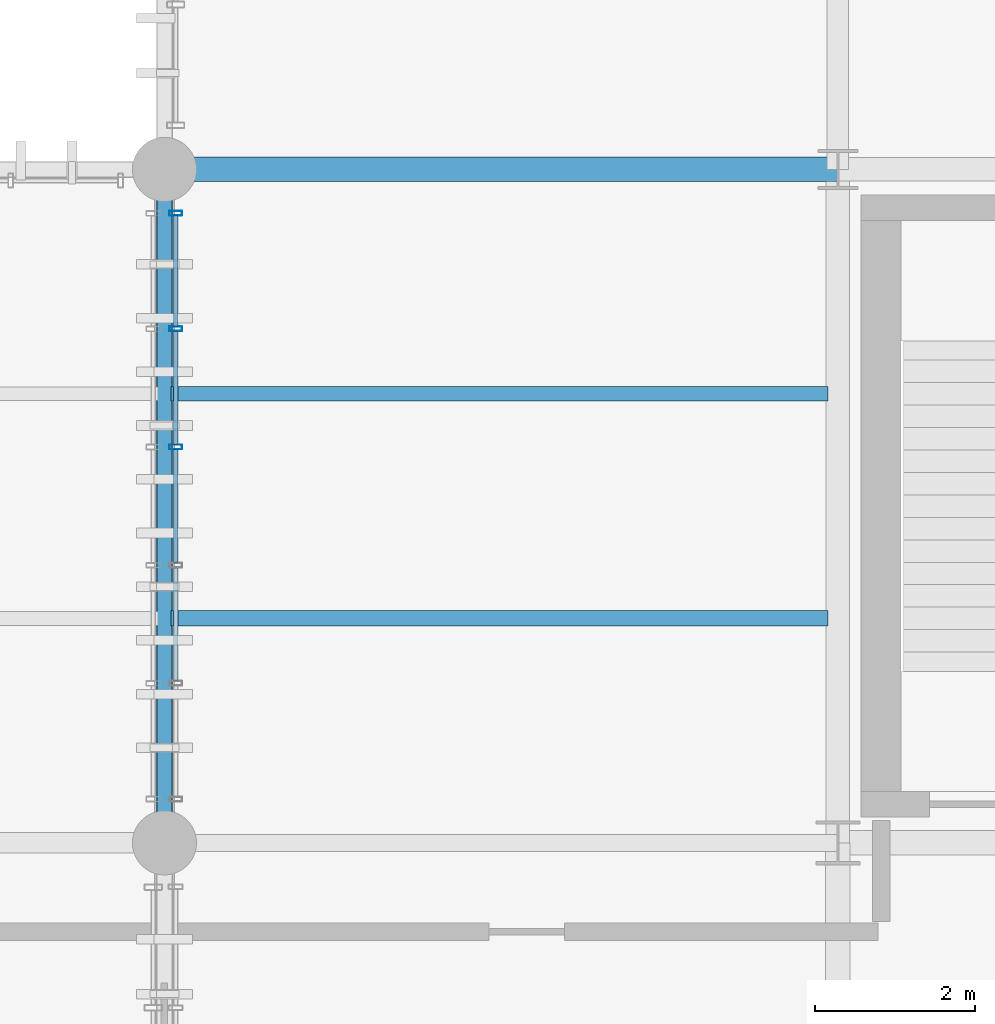
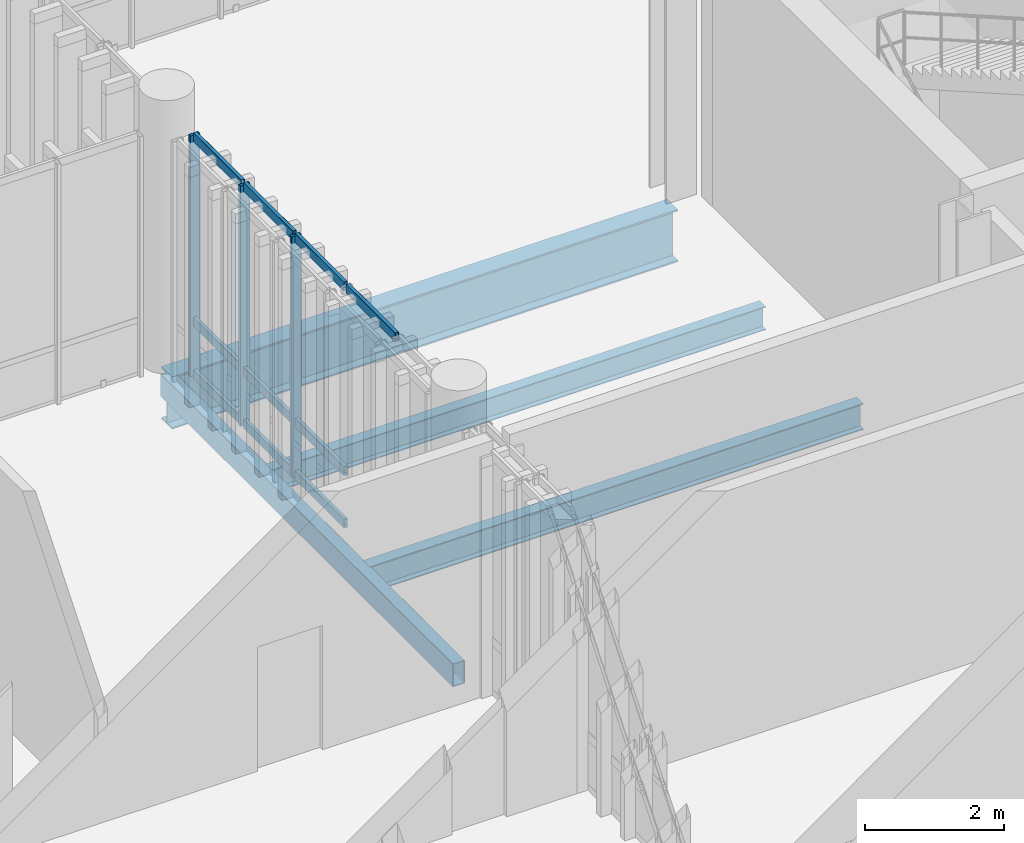
# One storey, part 37 of 109: 13 members, 4 beams, 1 element without a shape of its own.
"""IFC4 building model written with IfcOpenShell, lengths in metres."""

from ifc_helpers import new_model, si_unit, direction, frame, origin_with_axes, origin_2d_with_axis, place, context, subcontext, project, spatial, hollow_rectangle, i_section, extrude, material, material_profile, profile_set, type_object, element, aggregate, save


model = new_model("IFC4")

# Units and contexts
model_context = context("Model", 3, precision=1e-05, world=origin_with_axes(), true_north=direction((0.0, 1.0)))
body_context = subcontext(model_context, "Body", "Model", "MODEL_VIEW")
ifc_project = project(units=[si_unit("LENGTHUNIT", "METRE"), si_unit("AREAUNIT", "SQUARE_METRE"), si_unit("VOLUMEUNIT", "CUBIC_METRE"), si_unit("PLANEANGLEUNIT", "RADIAN"), si_unit("MASSUNIT", "GRAM", prefix="KILO"), si_unit("THERMODYNAMICTEMPERATUREUNIT", "KELVIN")], contexts=[model_context])

# Site, building, storey
site_placement = place(None, origin_with_axes())
site = spatial("IfcSite", under=ifc_project, at=site_placement, CompositionType="ELEMENT")
building_placement = place(site_placement, origin_with_axes())
building = spatial("IfcBuilding", under=site, at=building_placement, Name="Montbau Bow Law Courts", CompositionType="ELEMENT")
storey_placement = place(building_placement, frame((0.0, 0.0, 10.8), z_axis=(0.0, 0.0, 1.0), x_axis=(1.0, 0.0, 0.0)))
storey = spatial("IfcBuildingStorey", under=building, at=storey_placement, Name="L02", CompositionType="ELEMENT", Elevation=10.8)

# Beams
ifc_material_1 = material(Name="Steel CSA G40.21 Grade 350W (350 MPa)", Category="steel")
ifc_material_profile_1 = material_profile(ifc_material_1, i_section(OverallWidth=0.306, OverallDepth=0.919, WebThickness=0.0173, FlangeThickness=0.0279, at=origin_2d_with_axis()), Name="W920X253", Category="Main", Priority=0)
ifc_profile_set_1 = profile_set([ifc_material_profile_1], Name="Steel CSA G40.21 Grade 350W (350 MPa)")
beam_type_1 = type_object("IfcBeamType", Name="B-FLR-01", PredefinedType="BEAM", material=ifc_profile_set_1)
beam_1_placement = place(None, frame((46.8, 54.6, 10.101), z_axis=(1.0, 0.0, 0.0), x_axis=(0.0, 1.0, 0.0)))
element("IfcBeam", 1, at=beam_1_placement, inside=storey, type_object=beam_type_1, Name="BM-L02-S0845:bm2_0848", PredefinedType="BEAM", context=body_context, shape_type="SweptSolid", body=[
    extrude(i_section(OverallWidth=0.306, OverallDepth=0.919, WebThickness=0.0173, FlangeThickness=0.0279, at=origin_2d_with_axis()), origin_with_axes(), (0.0, 0.0, 1.0), 8.4),
])
ifc_material_profile_2 = material_profile(ifc_material_1, i_section(OverallWidth=0.191, OverallDepth=0.46, WebThickness=0.0099, FlangeThickness=0.016, at=origin_2d_with_axis()), Name="W460X82", Category="Main", Priority=0)
ifc_profile_set_2 = profile_set([ifc_material_profile_2], Name="Steel CSA G40.21 Grade 350W (350 MPa)")
beam_type_2 = type_object("IfcBeamType", Name="B-JST-01", PredefinedType="JOIST", material=ifc_profile_set_2)
beam_2_placement = place(None, frame((46.88, 49.0, 10.33), z_axis=(1.0, 0.0, 0.0), x_axis=(0.0, 1.0, 0.0)))
element("IfcBeam", 2, at=beam_2_placement, inside=storey, type_object=beam_type_2, Name="JST-L02-S0436:jst2_0436", PredefinedType="JOIST", context=body_context, shape_type="SweptSolid", body=[
    extrude(i_section(OverallWidth=0.191, OverallDepth=0.46, WebThickness=0.0099, FlangeThickness=0.016, at=origin_2d_with_axis()), origin_with_axes(), (0.0, 0.0, 1.0), 8.198),
])
ifc_material_profile_3 = material_profile(ifc_material_1, i_section(OverallWidth=0.179, OverallDepth=0.41, WebThickness=0.0088, FlangeThickness=0.0144, at=origin_2d_with_axis()), Name="W410X67", Category="Main", Priority=0)
ifc_profile_set_3 = profile_set([ifc_material_profile_3], Name="Steel CSA G40.21 Grade 350W (350 MPa)")
beam_type_3 = type_object("IfcBeamType", Name="B-JST-02", PredefinedType="JOIST", material=ifc_profile_set_3)
beam_3_placement = place(None, frame((46.88, 51.8, 10.355), z_axis=(1.0, 0.0, 0.0), x_axis=(0.0, 1.0, 0.0)))
element("IfcBeam", 3, at=beam_3_placement, inside=storey, type_object=beam_type_3, Name="JST-L02-S0437:jst2_0437", PredefinedType="JOIST", context=body_context, shape_type="SweptSolid", body=[
    extrude(i_section(OverallWidth=0.179, OverallDepth=0.41, WebThickness=0.0088, FlangeThickness=0.0144, at=origin_2d_with_axis()), origin_with_axes(), (0.0, 0.0, 1.0), 8.198),
])
ifc_material_2 = material(Name="Steel CSA G40.21 Grade 350WT (350 MPa)", Category="steel")
ifc_material_profile_4 = material_profile(ifc_material_2, hollow_rectangle(XDim=0.203, YDim=0.406, WallThickness=0.0127, InnerFilletRadius=0.0254, OuterFilletRadius=0.0127, at=origin_2d_with_axis()), Name="HSS406X203X13", Category="Main", Priority=0)
ifc_profile_set_4 = profile_set([ifc_material_profile_4], Name="Steel CSA G40.21 Grade 350WT (350 MPa)")
beam_type_4 = type_object("IfcBeamType", Name="B-SPN-01", PredefinedType="SPANDREL", material=ifc_profile_set_4)
beam_4_placement = place(None, frame((46.8, 46.2, 10.357), z_axis=(0.0, 1.0, 0.0), x_axis=(-1.0, 0.0, 0.0)))
element("IfcBeam", 4, at=beam_4_placement, inside=storey, type_object=beam_type_4, Name="SPN-L02-S0580:bm2_0583", PredefinedType="SPANDREL", context=body_context, shape_type="SweptSolid", body=[
    extrude(hollow_rectangle(XDim=0.203, YDim=0.406, WallThickness=0.0127, InnerFilletRadius=0.0254, OuterFilletRadius=0.0127, at=origin_2d_with_axis()), origin_with_axes(), (0.0, 0.0, 1.0), 8.4),
])

# Curtain wall, members
ifc_material_3 = material(Name="Thermally Broken Extruded Aluminium AA 6063-T6", Category="aluminium")
curtain_wall_type = type_object("IfcCurtainWallType", Name="CW-CRM-01", PredefinedType="NOTDEFINED", material=ifc_material_3)
curtain_wall_placement = place(None, frame((46.94, 46.715, 10.8), z_axis=(0.0, 0.0, 1.0), x_axis=(1.0, 0.0, 0.0)))
curtain_wall = element("IfcCurtainWall", 5, at=curtain_wall_placement, inside=storey, type_object=curtain_wall_type, Name="CW-L02-170:cw_0170", PredefinedType="NOTDEFINED")
ifc_material_profile_5 = material_profile(ifc_material_3, hollow_rectangle(XDim=0.06, YDim=0.16, WallThickness=0.004, InnerFilletRadius=0.008, OuterFilletRadius=0.004, at=origin_2d_with_axis()), Name="CWM-160X60", Category="Main", Priority=0)
ifc_profile_set_5 = profile_set([ifc_material_profile_5], Name="Thermally Broken Extruded Aluminium AA 6063-T6")
member_type_1 = type_object("IfcMemberType", Name="M-MUL-03", PredefinedType="MULLION", material=ifc_profile_set_5)
member_1_placement = place(None, frame((46.94, 51.137, 10.8), z_axis=(0.0, 0.0, 1.0), x_axis=(0.0, 1.0, 0.0)))
member_1 = element("IfcMember", 6, at=member_1_placement, type_object=member_type_1, Name="CW-L02-170-M04:cw_0170_M04", PredefinedType="MULLION", context=body_context, shape_type="SweptSolid", body=[
    extrude(hollow_rectangle(XDim=0.06, YDim=0.16, WallThickness=0.004, InnerFilletRadius=0.008, OuterFilletRadius=0.004, at=origin_2d_with_axis()), origin_with_axes(), (0.0, 0.0, 1.0), 4.22),
])
member_2_placement = place(None, frame((46.94, 52.611, 10.8), z_axis=(0.0, 0.0, 1.0), x_axis=(0.0, 1.0, 0.0)))
member_2 = element("IfcMember", 7, at=member_2_placement, type_object=member_type_1, Name="CW-L02-170-M05:cw_0170_M05", PredefinedType="MULLION", context=body_context, shape_type="SweptSolid", body=[
    extrude(hollow_rectangle(XDim=0.06, YDim=0.16, WallThickness=0.004, InnerFilletRadius=0.008, OuterFilletRadius=0.004, at=origin_2d_with_axis()), origin_with_axes(), (0.0, 0.0, 1.0), 4.22),
])
member_3_placement = place(None, frame((46.94, 54.055, 10.8), z_axis=(0.0, 0.0, 1.0), x_axis=(0.0, 1.0, 0.0)))
member_3 = element("IfcMember", 8, at=member_3_placement, type_object=member_type_1, Name="CW-L02-170-M06:cw_0170_M06", PredefinedType="MULLION", context=body_context, shape_type="SweptSolid", body=[
    extrude(hollow_rectangle(XDim=0.06, YDim=0.16, WallThickness=0.004, InnerFilletRadius=0.008, OuterFilletRadius=0.004, at=origin_2d_with_axis()), origin_with_axes(), (0.0, 0.0, 1.0), 4.22),
])
ifc_material_profile_6 = material_profile(ifc_material_3, hollow_rectangle(XDim=0.06, YDim=0.16, WallThickness=0.004, InnerFilletRadius=0.008, OuterFilletRadius=0.004, at=origin_2d_with_axis()), Name="CWT-160X60", Category="Main", Priority=0)
ifc_profile_set_6 = profile_set([ifc_material_profile_6], Name="Thermally Broken Extruded Aluminium AA 6063-T6")
member_type_2 = type_object("IfcMemberType", Name="M-TRN-01", PredefinedType="USERDEFINED", material=ifc_profile_set_6)
member_4_placement = place(None, frame((46.94, 48.221, 14.99), z_axis=(0.0, 1.0, 0.0), x_axis=(-1.0, 0.0, 0.0)))
member_4 = element("IfcMember", 9, at=member_4_placement, type_object=member_type_2, Name="CW-L02-170-T02-3:cw_0170_T02_3", ObjectType="TRANSOM", PredefinedType="USERDEFINED", context=body_context, shape_type="SweptSolid", body=[
    extrude(hollow_rectangle(XDim=0.06, YDim=0.16, WallThickness=0.004, InnerFilletRadius=0.008, OuterFilletRadius=0.004, at=origin_2d_with_axis()), origin_with_axes(), (0.0, 0.0, 1.0), 1.41),
])
member_5_placement = place(None, frame((46.94, 49.695, 10.83), z_axis=(0.0, 1.0, 0.0), x_axis=(-1.0, 0.0, 0.0)))
member_5 = element("IfcMember", 10, at=member_5_placement, type_object=member_type_2, Name="CW-L02-170-T03-1:cw_0170_T03_1", ObjectType="TRANSOM", PredefinedType="USERDEFINED", context=body_context, shape_type="SweptSolid", body=[
    extrude(hollow_rectangle(XDim=0.06, YDim=0.16, WallThickness=0.004, InnerFilletRadius=0.008, OuterFilletRadius=0.004, at=origin_2d_with_axis()), origin_with_axes(), (0.0, 0.0, 1.0), 1.41),
])
member_6_placement = place(None, frame((46.94, 49.695, 11.75), z_axis=(0.0, 1.0, 0.0), x_axis=(-1.0, 0.0, 0.0)))
member_6 = element("IfcMember", 11, at=member_6_placement, type_object=member_type_2, Name="CW-L02-170-T03-2:cw_0170_T03_2", ObjectType="TRANSOM", PredefinedType="USERDEFINED", context=body_context, shape_type="SweptSolid", body=[
    extrude(hollow_rectangle(XDim=0.06, YDim=0.16, WallThickness=0.004, InnerFilletRadius=0.008, OuterFilletRadius=0.004, at=origin_2d_with_axis()), origin_with_axes(), (0.0, 0.0, 1.0), 1.41),
])
member_7_placement = place(None, frame((46.94, 49.695, 14.99), z_axis=(0.0, 1.0, 0.0), x_axis=(-1.0, 0.0, 0.0)))
member_7 = element("IfcMember", 12, at=member_7_placement, type_object=member_type_2, Name="CW-L02-170-T03-3:cw_0170_T03_3", ObjectType="TRANSOM", PredefinedType="USERDEFINED", context=body_context, shape_type="SweptSolid", body=[
    extrude(hollow_rectangle(XDim=0.06, YDim=0.16, WallThickness=0.004, InnerFilletRadius=0.008, OuterFilletRadius=0.004, at=origin_2d_with_axis()), origin_with_axes(), (0.0, 0.0, 1.0), 1.41),
])
member_8_placement = place(None, frame((46.94, 51.169, 10.83), z_axis=(0.0, 1.0, 0.0), x_axis=(-1.0, 0.0, 0.0)))
member_8 = element("IfcMember", 13, at=member_8_placement, type_object=member_type_2, Name="CW-L02-170-T04-1:cw_0170_T04_1", ObjectType="TRANSOM", PredefinedType="USERDEFINED", context=body_context, shape_type="SweptSolid", body=[
    extrude(hollow_rectangle(XDim=0.06, YDim=0.16, WallThickness=0.004, InnerFilletRadius=0.008, OuterFilletRadius=0.004, at=origin_2d_with_axis()), origin_with_axes(), (0.0, 0.0, 1.0), 1.41),
])
member_9_placement = place(None, frame((46.94, 51.169, 11.75), z_axis=(0.0, 1.0, 0.0), x_axis=(-1.0, 0.0, 0.0)))
member_9 = element("IfcMember", 14, at=member_9_placement, type_object=member_type_2, Name="CW-L02-170-T04-2:cw_0170_T04_2", ObjectType="TRANSOM", PredefinedType="USERDEFINED", context=body_context, shape_type="SweptSolid", body=[
    extrude(hollow_rectangle(XDim=0.06, YDim=0.16, WallThickness=0.004, InnerFilletRadius=0.008, OuterFilletRadius=0.004, at=origin_2d_with_axis()), origin_with_axes(), (0.0, 0.0, 1.0), 1.41),
])
member_10_placement = place(None, frame((46.94, 51.169, 14.99), z_axis=(0.0, 1.0, 0.0), x_axis=(-1.0, 0.0, 0.0)))
member_10 = element("IfcMember", 15, at=member_10_placement, type_object=member_type_2, Name="CW-L02-170-T04-3:cw_0170_T04_3", ObjectType="TRANSOM", PredefinedType="USERDEFINED", context=body_context, shape_type="SweptSolid", body=[
    extrude(hollow_rectangle(XDim=0.06, YDim=0.16, WallThickness=0.004, InnerFilletRadius=0.008, OuterFilletRadius=0.004, at=origin_2d_with_axis()), origin_with_axes(), (0.0, 0.0, 1.0), 1.41),
])
member_11_placement = place(None, frame((46.94, 52.643, 10.83), z_axis=(0.0, 1.0, 0.0), x_axis=(-1.0, 0.0, 0.0)))
member_11 = element("IfcMember", 16, at=member_11_placement, type_object=member_type_2, Name="CW-L02-170-T05-1:cw_0170_T05_1", ObjectType="TRANSOM", PredefinedType="USERDEFINED", context=body_context, shape_type="SweptSolid", body=[
    extrude(hollow_rectangle(XDim=0.06, YDim=0.16, WallThickness=0.004, InnerFilletRadius=0.008, OuterFilletRadius=0.004, at=origin_2d_with_axis()), origin_with_axes(), (0.0, 0.0, 1.0), 1.38),
])
member_12_placement = place(None, frame((46.94, 52.643, 11.75), z_axis=(0.0, 1.0, 0.0), x_axis=(-1.0, 0.0, 0.0)))
member_12 = element("IfcMember", 17, at=member_12_placement, type_object=member_type_2, Name="CW-L02-170-T05-2:cw_0170_T05_2", ObjectType="TRANSOM", PredefinedType="USERDEFINED", context=body_context, shape_type="SweptSolid", body=[
    extrude(hollow_rectangle(XDim=0.06, YDim=0.16, WallThickness=0.004, InnerFilletRadius=0.008, OuterFilletRadius=0.004, at=origin_2d_with_axis()), origin_with_axes(), (0.0, 0.0, 1.0), 1.38),
])
member_13_placement = place(None, frame((46.94, 52.643, 14.99), z_axis=(0.0, 1.0, 0.0), x_axis=(-1.0, 0.0, 0.0)))
member_13 = element("IfcMember", 18, at=member_13_placement, type_object=member_type_2, Name="CW-L02-170-T05-3:cw_0170_T05_3", ObjectType="TRANSOM", PredefinedType="USERDEFINED", context=body_context, shape_type="SweptSolid", body=[
    extrude(hollow_rectangle(XDim=0.06, YDim=0.16, WallThickness=0.004, InnerFilletRadius=0.008, OuterFilletRadius=0.004, at=origin_2d_with_axis()), origin_with_axes(), (0.0, 0.0, 1.0), 1.38),
])
aggregate(curtain_wall, [member_1, member_2, member_3, member_4, member_5, member_6, member_7, member_8, member_9, member_10, member_11, member_12, member_13])

save(model, "model.ifc")
